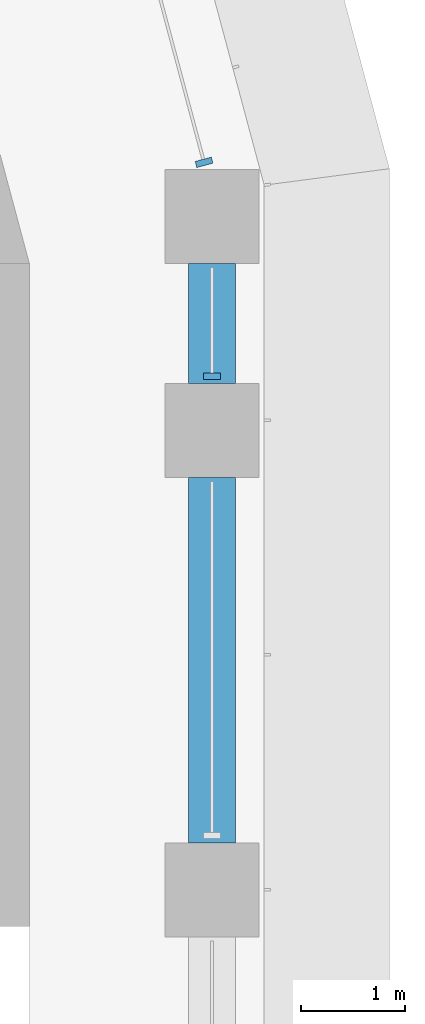
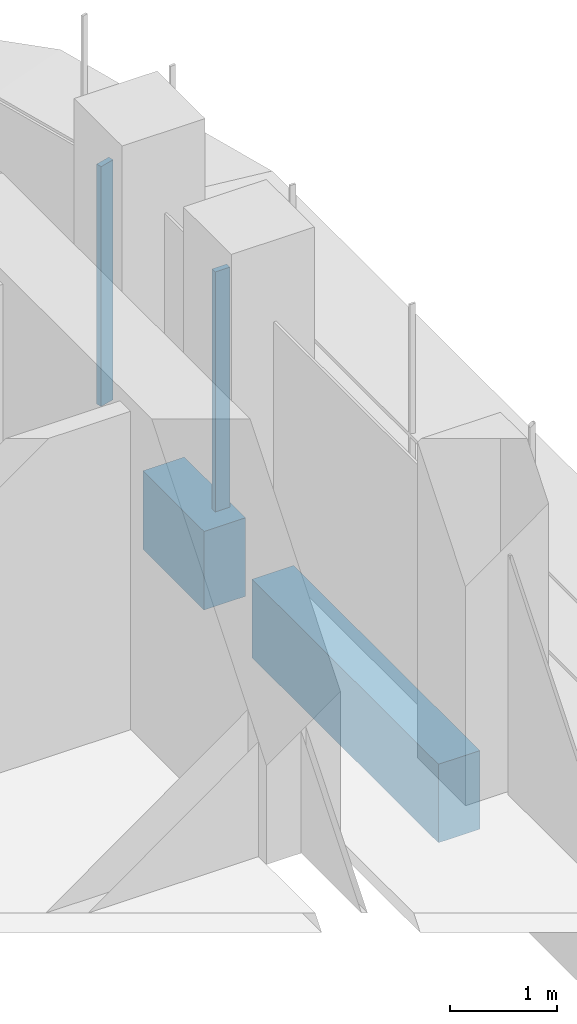
# One storey, part 9 of 22: 2 beams, 2 members, 2 elements without a shape of their own.
"""IFC4 building model written with IfcOpenShell, lengths in metres."""

import ifcopenshell
import ifcopenshell.guid

model = None  # the IFC model being written
_history = None  # IfcOwnerHistory: only IFC2X3 demands one
_inside = {}  # id of a spatial element -> (the spatial element, [elements in it])
_under = {}  # id of a project, library or spatial element -> (it, [spatial elements below it])
_declared = {}  # id of a project -> (the project, [libraries it declares])
_typed = {}  # id of a type object -> (the type object, [elements of that type])
_made_of = {}  # id of a material, layer set ... -> (it, [elements and type objects made of it])


def new_model(schema):
    """Start an empty IFC model of exactly this schema.

    Asked for "IFC4X3", IfcOpenShell would pick the latest addendum, in which some entities
    have other attributes; the version numbers below select the first issue.
    IFC2X3 requires an IfcOwnerHistory on every rooted entity: one is made here for all.
    """
    global model, _history
    if schema == "IFC4X3":
        model = ifcopenshell.file(schema_version=(4, 3, 0, 0))
    else:
        model = ifcopenshell.file(schema=schema)
    _inside.clear()
    _under.clear()
    _declared.clear()
    _typed.clear()
    _made_of.clear()
    _history = None
    if model.schema == "IFC2X3":
        org = make("IfcOrganization", Name="unknown")
        user = make(
            "IfcPersonAndOrganization",
            ThePerson=make("IfcPerson", FamilyName="unknown"),
            TheOrganization=org,
        )
        app = make(
            "IfcApplication",
            ApplicationDeveloper=org,
            Version="unknown",
            ApplicationFullName="unknown",
            ApplicationIdentifier="unknown",
        )
        _history = make(
            "IfcOwnerHistory",
            OwningUser=user,
            OwningApplication=app,
            ChangeAction="ADDED",
            CreationDate=0,
        )
    return model


def make(cls, **values):
    """One entity of the class cls with the attributes given. An attribute that is None is left unset."""
    return model.create_entity(
        cls, **{name: value for name, value in values.items() if value is not None}
    )


def rooted(cls, **values):
    """An entity with a GlobalId (a new one), such as an element, a storey or a relation."""
    return make(cls, GlobalId=ifcopenshell.guid.new(), OwnerHistory=_history, **values)


def si_unit(unit_type, name, prefix=None):
    """IfcSIUnit, for example si_unit("LENGTHUNIT", "METRE", prefix="MILLI")."""
    return make("IfcSIUnit", UnitType=unit_type, Prefix=prefix, Name=name)


def assignment(units):
    """IfcUnitAssignment: the units of a project."""
    return None if units is None else make("IfcUnitAssignment", Units=units)


def point(xyz):
    """IfcCartesianPoint."""
    return None if xyz is None else make("IfcCartesianPoint", Coordinates=xyz)


def direction(xyz):
    """IfcDirection."""
    return None if xyz is None else make("IfcDirection", DirectionRatios=xyz)


def frame(location, z_axis=None, x_axis=None):
    """IfcAxis2Placement3D, a coordinate frame: its origin and axes. An axis left out is left unset."""
    return make(
        "IfcAxis2Placement3D",
        Location=point(location),
        Axis=direction(z_axis),
        RefDirection=direction(x_axis),
    )


def frame_2d(location, x_axis=None):
    """IfcAxis2Placement2D, a coordinate frame in the plane: its origin and x axis."""
    return make(
        "IfcAxis2Placement2D", Location=point(location), RefDirection=direction(x_axis)
    )


def origin():
    """The frame at (0, 0, 0) with its axes left unset."""
    return frame((0.0, 0.0, 0.0))


def origin_2d():
    """The frame at (0, 0) in the plane with its x axis left unset."""
    return frame_2d((0.0, 0.0))


def place(relative_to, where):
    """IfcLocalPlacement: puts the frame where relative to a parent placement (None: the world)."""
    return make(
        "IfcLocalPlacement", PlacementRelTo=relative_to, RelativePlacement=where
    )


def context(
    kind, dimensions, precision=None, world=None, true_north=None, identifier=None
):
    """IfcGeometricRepresentationContext, for example the 3D "Model" context."""
    return make(
        "IfcGeometricRepresentationContext",
        ContextIdentifier=identifier,
        ContextType=kind,
        CoordinateSpaceDimension=dimensions,
        Precision=precision,
        WorldCoordinateSystem=world,
        TrueNorth=true_north,
    )


def subcontext(parent, identifier, kind, view, scale=None):
    """IfcGeometricRepresentationSubContext, for example "Body" below "Model"."""
    return make(
        "IfcGeometricRepresentationSubContext",
        ContextIdentifier=identifier,
        ContextType=kind,
        ParentContext=parent,
        TargetScale=scale,
        TargetView=view,
    )


def project(units=None, contexts=None):
    """IfcProject with its units and contexts."""
    return rooted(
        "IfcProject",
        Name="project",
        RepresentationContexts=contexts,
        UnitsInContext=assignment(units),
    )


def spatial(cls, under=None, at=None, **own):
    """A site, building, storey or space (cls), placed at a placement, below another one or the project."""
    s = rooted(cls, ObjectPlacement=at, **own)
    if under is not None:
        _under.setdefault(under.id(), (under, []))[1].append(s)
    return s


def polyline(points):
    """IfcPolyline through the points."""
    return make("IfcPolyline", Points=[point(p) for p in points])


def profile(cls, at=None, kind="AREA", **sizes):
    """A parametric profile (cls). Its sizes go by their IFC names, for example OverallWidth=200.0."""
    return make(cls, ProfileType=kind, Position=at, **sizes)


def rectangle(**sizes):
    """IfcRectangleProfileDef."""
    return profile("IfcRectangleProfileDef", **sizes)


def outline(outer, holes=None, kind="AREA"):
    """IfcArbitraryClosedProfileDef: a profile drawn as a closed curve; with holes, ...WithVoids."""
    if holes is None:
        return make("IfcArbitraryClosedProfileDef", ProfileType=kind, OuterCurve=outer)
    return make(
        "IfcArbitraryProfileDefWithVoids",
        ProfileType=kind,
        OuterCurve=outer,
        InnerCurves=holes,
    )


def extrude(swept, where, along, depth):
    """IfcExtrudedAreaSolid: the profile swept, set in the frame where, extruded along a direction by depth."""
    return make(
        "IfcExtrudedAreaSolid",
        SweptArea=swept,
        Position=where,
        ExtrudedDirection=direction(along),
        Depth=depth,
    )


def shape(context_of_items, identifier, shape_type, items):
    """IfcShapeRepresentation: the items that make up one representation, for example the "Body"."""
    return make(
        "IfcShapeRepresentation",
        ContextOfItems=context_of_items,
        RepresentationIdentifier=identifier,
        RepresentationType=shape_type,
        Items=items,
    )


def source(mapping_origin, context_of_items, identifier, shape_type, items):
    """IfcRepresentationMap: a shape defined once, which mapped items show again and again."""
    return make(
        "IfcRepresentationMap",
        MappingOrigin=mapping_origin,
        MappedRepresentation=shape(context_of_items, identifier, shape_type, items),
    )


def transform(
    local_origin,
    x_axis=None,
    y_axis=None,
    z_axis=None,
    scale=None,
    scale2=None,
    scale3=None,
    uniform=True,
):
    """IfcCartesianTransformationOperator3D, or its non-uniform kind. x_axis, y_axis, z_axis: its Axis1, 2, 3."""
    if uniform:
        return make(
            "IfcCartesianTransformationOperator3D",
            Axis1=direction(x_axis),
            Axis2=direction(y_axis),
            LocalOrigin=point(local_origin),
            Scale=scale,
            Axis3=direction(z_axis),
        )
    return make(
        "IfcCartesianTransformationOperator3DnonUniform",
        Axis1=direction(x_axis),
        Axis2=direction(y_axis),
        LocalOrigin=point(local_origin),
        Scale=scale,
        Axis3=direction(z_axis),
        Scale2=scale2,
        Scale3=scale3,
    )


def mapped(mapping_source, mapping_target):
    """IfcMappedItem: shows the shape of a source again, moved by a transform."""
    return make(
        "IfcMappedItem", MappingSource=mapping_source, MappingTarget=mapping_target
    )


def material(Name=None, Category=None):
    """IfcMaterial."""
    return make("IfcMaterial", Name=Name, Category=Category)


def material_profile(
    of_material, cross_section, Name=None, Category=None, Priority=None
):
    """IfcMaterialProfile: a cross section and its material."""
    return make(
        "IfcMaterialProfile",
        Name=Name,
        Material=of_material,
        Profile=cross_section,
        Priority=Priority,
        Category=Category,
    )


def profile_set(profiles, Name=None, composite=None):
    """IfcMaterialProfileSet."""
    return make(
        "IfcMaterialProfileSet",
        Name=Name,
        MaterialProfiles=profiles,
        CompositeProfile=composite,
    )


def made_of(thing, what):
    """Note that an element or type object is made of a material, layer set ...; save() writes the relation."""
    if what is not None:
        _made_of.setdefault(what.id(), (what, []))[1].append(thing)
    return thing


def type_object(cls, material=None, **own):
    """A type object (cls), such as IfcWallType, which elements share."""
    return made_of(rooted(cls, **own), material)


def element(
    cls,
    number,
    at=None,
    inside=None,
    cuts=None,
    type_object=None,
    material=None,
    context=None,
    identifier="Body",
    shape_type=None,
    held_by="IfcProductDefinitionShape",
    body=None,
    shapes=None,
    **own,
):
    """One element of the class cls, such as IfcWall. Its Tag is "e" and its number.

    at: its placement. inside: the storey or other place that contains it. cuts: it is an
    opening in that element (IfcRelVoidsElement). A single representation is given by context,
    identifier, shape_type and body (its items); several are given by shapes. held_by: the class
    of the entity that holds the representations. save() writes the other relations.
    """
    e = rooted(cls, Tag="e%d" % number, ObjectPlacement=at, **own)
    if body is not None:
        shapes = [shape(context, identifier, shape_type, body)]
    if shapes is not None:
        e.Representation = make(held_by, Representations=shapes)
    if inside is not None:
        _inside.setdefault(inside.id(), (inside, []))[1].append(e)
    if cuts is not None:
        rooted(
            "IfcRelVoidsElement", RelatingBuildingElement=cuts, RelatedOpeningElement=e
        )
    if type_object is not None:
        _typed.setdefault(type_object.id(), (type_object, []))[1].append(e)
    return made_of(e, material)


def aggregate(whole, parts):
    """IfcRelAggregates: a whole, such as a stair, and the parts it consists of."""
    return rooted("IfcRelAggregates", RelatingObject=whole, RelatedObjects=parts)


def save(model, path):
    """Write the relations noted so far, then the file.

    IfcRelAggregates (storeys below a building ...), IfcRelContainedInSpatialStructure (elements
    in a storey), IfcRelDefinesByType, IfcRelAssociatesMaterial and IfcRelDeclares: one each for
    every whole, place, type object, material and project.
    """
    for whole, parts in _under.values():
        aggregate(whole, parts)
    for where, things in _inside.values():
        rooted(
            "IfcRelContainedInSpatialStructure",
            RelatedElements=things,
            RelatingStructure=where,
        )
    for kind, things in _typed.values():
        rooted("IfcRelDefinesByType", RelatedObjects=things, RelatingType=kind)
    for what, things in _made_of.values():
        rooted("IfcRelAssociatesMaterial", RelatedObjects=things, RelatingMaterial=what)
    for by, libraries in _declared.values():
        rooted("IfcRelDeclares", RelatingContext=by, RelatedDefinitions=libraries)
    model.write(path)


model = new_model("IFC4")

# Units and contexts
model_context = context("Model", 3, precision=1e-05, world=origin(), true_north=direction((0.0, 1.0)))
body_context = subcontext(model_context, "Body", "Model", "MODEL_VIEW")
ifc_project = project(units=[si_unit("LENGTHUNIT", "METRE"), si_unit("AREAUNIT", "SQUARE_METRE"), si_unit("VOLUMEUNIT", "CUBIC_METRE"), si_unit("PLANEANGLEUNIT", "RADIAN"), si_unit("MASSUNIT", "GRAM", prefix="KILO")], contexts=[model_context])

# Site, building, storey
site_placement = place(None, origin())
site = spatial("IfcSite", under=ifc_project, at=site_placement, CompositionType="ELEMENT")
building_placement = place(site_placement, origin())
building = spatial("IfcBuilding", under=site, at=building_placement, Name="Zarbagh Exchange Tower", CompositionType="ELEMENT")
storey_placement = place(building_placement, frame((0.0, 0.0, 124.60009765625)))
storey = spatial("IfcBuildingStorey", under=building, at=storey_placement, Name="L29", CompositionType="ELEMENT", Elevation=124.60009765625)

# Beams
ifc_material_1 = material(Name="Concrete C60/75", Category="concrete")
ifc_material_profile = material_profile(ifc_material_1, rectangle(XDim=0.449951171875, YDim=0.89990234375, at=origin_2d()), Name="RC spandrel beam 450 x 900 C60/75")
ifc_profile_set = profile_set([ifc_material_profile], Name="Concrete C60/75")
beam_type = type_object("IfcBeamType", Name="RC spandrel beam 450 x 900 C60/75", PredefinedType="SPANDREL", material=ifc_profile_set)
beam_1_placement = place(storey_placement, frame((6.25, 26.25, -0.60009765625), z_axis=(0.0, -1.0, 0.0), x_axis=(1.0, 0.0, 0.0)))
element("IfcBeam", 1, at=beam_1_placement, inside=storey, type_object=beam_type, Name="RC spandrel beam", PredefinedType="SPANDREL", context=body_context, shape_type="SweptSolid", body=[
    extrude(rectangle(XDim=0.449951171875, YDim=0.89990234375, at=origin_2d()), origin(), (0.0, 0.0, 1.0), 1.14990234375),
])
beam_2_placement = place(storey_placement, frame((6.25, 24.199951171875, -0.60009765625), z_axis=(0.0, -1.0, 0.0), x_axis=(1.0, 0.0, 0.0)))
element("IfcBeam", 2, at=beam_2_placement, inside=storey, type_object=beam_type, Name="RC spandrel beam", PredefinedType="SPANDREL", context=body_context, shape_type="SweptSolid", body=[
    extrude(rectangle(XDim=0.449951171875, YDim=0.89990234375, at=origin_2d()), origin(), (0.0, 0.0, 1.0), 3.5),
])

# Curtain wall, member
ifc_material_2 = material(Name="Anodised aluminium frame and glazing", Category="aluminium")
curtain_wall_type = type_object("IfcCurtainWallType", Name="CWA Ribbon glazing, lower zones", PredefinedType="NOTDEFINED", material=ifc_material_2)
curtain_wall_1_placement = place(storey_placement, origin())
curtain_wall_1 = element("IfcCurtainWall", 3, at=curtain_wall_1_placement, inside=storey, type_object=curtain_wall_type, Name="CWA49 curtain wall", PredefinedType="NOTDEFINED")
ifc_material_3 = material(Name="Anodised aluminium frame", Category="aluminium")
member_type = type_object("IfcMemberType", Name="MUA Mullion, anodised aluminium frame", PredefinedType="MULLION", material=ifc_material_3)
shared_shape = source(origin(), body_context, "Body", "SweptSolid", [
    extrude(outline(polyline([(0.0, -0.080078125), (0.06005859375, -0.080078125), (0.06005859375, 0.080078125), (0.0, 0.080078125), (0.0, -0.080078125)])), origin(), (0.0, 0.0, 1.0), 2.75),
])
placement = place(storey_placement, origin())
member_1 = element("IfcMember", 4, at=placement, type_object=member_type, Name="CWA49 mullion 4.1", PredefinedType="MULLION", context=body_context, shape_type="MappedRepresentation", body=[
    mapped(shared_shape, transform((6.25, 25.14013671875, 0.0), x_axis=(0.0, 1.0, 0.0), y_axis=(-1.0, 0.0, 0.0), z_axis=(0.0, 0.0, 1.0))),
])
aggregate(curtain_wall_1, [member_1])

curtain_wall_2_placement = place(storey_placement, origin())
curtain_wall_2 = element("IfcCurtainWall", 5, at=curtain_wall_2_placement, inside=storey, type_object=curtain_wall_type, Name="CWA50 curtain wall", PredefinedType="NOTDEFINED")
member_2 = element("IfcMember", 6, at=placement, type_object=member_type, Name="CWA50 mullion 1.1", PredefinedType="MULLION", context=body_context, shape_type="MappedRepresentation", body=[
    mapped(shared_shape, transform((6.181396484375, 27.18994140625, 0.0), x_axis=(-0.258824779902, 0.965924289636, 0.0), y_axis=(-0.965924289636, -0.258824779902, 0.0), z_axis=(0.0, 0.0, 1.0))),
])
aggregate(curtain_wall_2, [member_2])

save(model, "model.ifc")
